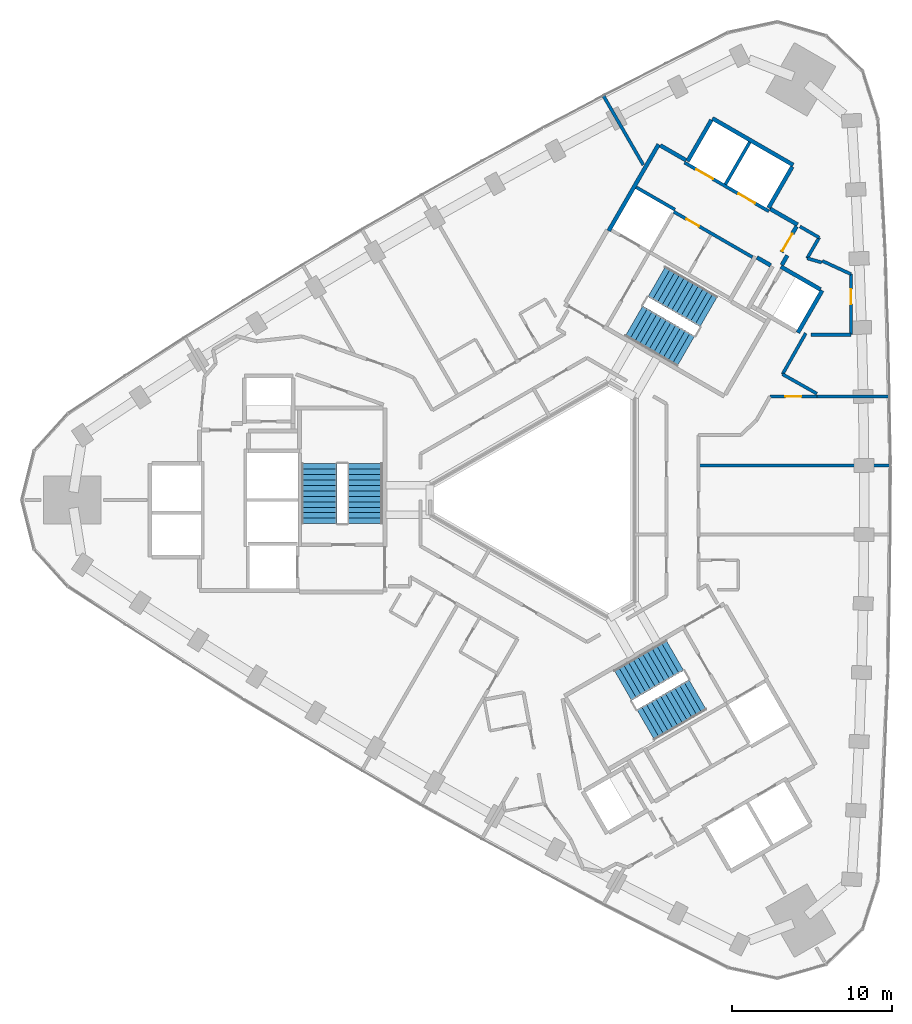
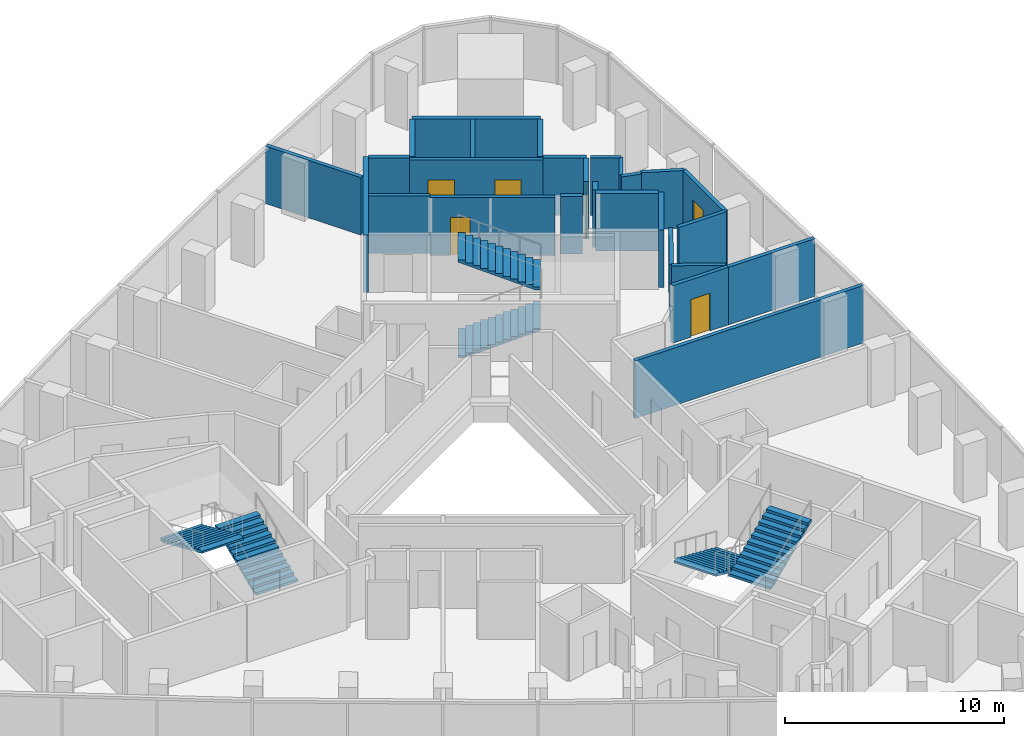
# One storey, part 12 of 13: 27 walls, 6 doors, 6 stair flights, 6 openings, 3 elements without a shape of their own.
"""IFC4 building model written with IfcOpenShell, lengths in metres."""

from ifc_helpers import new_model, si_unit, direction, frame, frame_2d, origin, place, context, subcontext, project, spatial, polyline, rectangle, outline, extrude, material, layer, layer_set, type_object, element, fill, aggregate, save


model = new_model("IFC4")

# Units and contexts
model_context = context("Model", 3, precision=1e-05, world=origin(), true_north=direction((0.0, 1.0)))
body_context = subcontext(model_context, "Body", "Model", "MODEL_VIEW")
ifc_project = project(units=[si_unit("LENGTHUNIT", "METRE"), si_unit("AREAUNIT", "SQUARE_METRE"), si_unit("VOLUMEUNIT", "CUBIC_METRE"), si_unit("PLANEANGLEUNIT", "RADIAN"), si_unit("MASSUNIT", "GRAM", prefix="KILO")], contexts=[model_context])

# Site, building, storey
site_placement = place(None, origin())
site = spatial("IfcSite", under=ifc_project, at=site_placement, CompositionType="ELEMENT")
building_placement = place(site_placement, origin())
building = spatial("IfcBuilding", under=site, at=building_placement, Name="Tamra Quay Hotel Tower", CompositionType="ELEMENT")
storey_placement = place(building_placement, frame((0.0, 0.0, 132.39990234375)))
storey = spatial("IfcBuildingStorey", under=building, at=storey_placement, Name="L32", CompositionType="ELEMENT", Elevation=132.39990234375)

# Wall, openings, doors
ifc_material_1 = material(Name="Concrete M70", Category="concrete")
ifc_layer_1 = layer(ifc_material_1, 0.199951171875)
ifc_layer_set_1 = layer_set([ifc_layer_1], Name="Concrete M70 core wall 200")
wall_type_1 = type_object("IfcWallType", Name="Concrete M70 core wall 200", PredefinedType="SHEAR", material=ifc_layer_set_1)
wall_1_placement = place(storey_placement, frame((13.209716796875, 18.07958984375, 0.0), z_axis=(0.0, 0.0, 1.0), x_axis=(-0.866030299012, 0.499991521122, 0.0)))
wall_1 = element("IfcWall", 1, at=wall_1_placement, inside=storey, type_object=wall_type_1, Name="CW2", PredefinedType="SHEAR", context=body_context, shape_type="SweptSolid", body=[
    extrude(rectangle(XDim=6.10009765625, YDim=0.199951171875, at=frame_2d((3.050048828125, 0.0))), origin(), (0.0, 0.0, 1.0), 3.2001953125),
])
opening_1_placement = place(wall_1_placement, frame((1.0, 0.0, 0.0)))
opening_1 = element("IfcOpeningElement", 2, at=opening_1_placement, cuts=wall_1, Name="Opening LD", PredefinedType="OPENING", context=body_context, shape_type="SweptSolid", body=[
    extrude(rectangle(XDim=1.199951171875, YDim=2.10009765625, at=frame_2d((0.60009765625, 1.050048828125))), frame((0.0, 0.10986328125, 0.0), z_axis=(0.0, -1.0, 0.0), x_axis=(1.0, 0.0, 0.0)), (0.0, 0.0, 1.0), 0.219970703125),
])
opening_2_placement = place(wall_1_placement, frame((4.05029296875, 0.0, 0.0)))
opening_2 = element("IfcOpeningElement", 3, at=opening_2_placement, cuts=wall_1, Name="Opening LD", PredefinedType="OPENING", context=body_context, shape_type="SweptSolid", body=[
    extrude(rectangle(XDim=1.199951171875, YDim=2.10009765625, at=frame_2d((0.60009765625, 1.050048828125))), frame((0.0, 0.10986328125, 0.0), z_axis=(0.0, -1.0, 0.0), x_axis=(1.0, 0.0, 0.0)), (0.0, 0.0, 1.0), 0.219970703125),
])
ifc_material_2 = material(Name="Landing door LD 1200 double door sliding")
door_type_1 = type_object("IfcDoorType", Name="Landing door LD 1200 double door sliding", OperationType="DOUBLE_DOOR_SLIDING", PredefinedType="DOOR", material=ifc_material_2)
door_1_placement = place(opening_1_placement, origin())
door_1 = element("IfcDoor", 4, at=door_1_placement, inside=storey, type_object=door_type_1, Name="LD", OperationType="DOUBLE_DOOR_SLIDING", OverallHeight=2.10009765625, OverallWidth=1.199951171875, PredefinedType="DOOR", context=body_context, shape_type="SweptSolid", body=[
    extrude(rectangle(XDim=1.199951171875, YDim=2.10009765625, at=frame_2d((0.60009765625, 1.050048828125))), frame((0.0, 0.02490234375, 0.0), z_axis=(0.0, -1.0, 0.0), x_axis=(1.0, 0.0, 0.0)), (0.0, 0.0, 1.0), 0.050048828125),
])
fill(opening_1, door_1)
door_2_placement = place(opening_2_placement, origin())
door_2 = element("IfcDoor", 5, at=door_2_placement, inside=storey, type_object=door_type_1, Name="LD", OperationType="DOUBLE_DOOR_SLIDING", OverallHeight=2.10009765625, OverallWidth=1.199951171875, PredefinedType="DOOR", context=body_context, shape_type="SweptSolid", body=[
    extrude(rectangle(XDim=1.199951171875, YDim=2.10009765625, at=frame_2d((0.60009765625, 1.050048828125))), frame((0.0, 0.02490234375, 0.0), z_axis=(0.0, -1.0, 0.0), x_axis=(1.0, 0.0, 0.0)), (0.0, 0.0, 1.0), 0.050048828125),
])
fill(opening_2, door_2)

# Wall, opening, door
wall_2_placement = place(storey_placement, frame((12.18505859375, 15.20703125, 0.0), z_axis=(0.0, 0.0, 1.0), x_axis=(-0.866020080793, 0.500009219579, 0.0)))
wall_2 = element("IfcWall", 6, at=wall_2_placement, inside=storey, type_object=wall_type_1, Name="CW2", PredefinedType="SHEAR", context=body_context, shape_type="SweptSolid", body=[
    extrude(rectangle(XDim=5.69921875, YDim=0.199951171875, at=frame_2d((2.849609375, 0.0))), origin(), (0.0, 0.0, 1.0), 3.2001953125),
])
opening_3_placement = place(wall_2_placement, frame((3.8740234375, 0.0, 0.0)))
opening_3 = element("IfcOpeningElement", 7, at=opening_3_placement, cuts=wall_2, Name="Opening D2", PredefinedType="OPENING", context=body_context, shape_type="SweptSolid", body=[
    extrude(rectangle(XDim=0.89990234375, YDim=2.10009765625, at=frame_2d((0.449951171875, 1.050048828125))), frame((0.0, 0.10986328125, 0.0), z_axis=(0.0, -1.0, 0.0), x_axis=(1.0, 0.0, 0.0)), (0.0, 0.0, 1.0), 0.219970703125),
])
ifc_material_3 = material(Name="Core door D2 900x2100 LH")
door_type_2 = type_object("IfcDoorType", Name="Core door D2 900x2100 LH", OperationType="NOTDEFINED", PredefinedType="DOOR", material=ifc_material_3)
door_3_placement = place(opening_3_placement, origin())
door_3 = element("IfcDoor", 8, at=door_3_placement, inside=storey, type_object=door_type_2, Name="D2", OperationType="SINGLE_SWING_LEFT", OverallHeight=2.10009765625, OverallWidth=0.89990234375, PredefinedType="DOOR", context=body_context, shape_type="SweptSolid", body=[
    extrude(rectangle(XDim=0.89990234375, YDim=2.10009765625, at=frame_2d((0.449951171875, 1.050048828125))), frame((0.0, 0.02490234375, 0.0), z_axis=(0.0, -1.0, 0.0), x_axis=(1.0, 0.0, 0.0)), (0.0, 0.0, 1.0), 0.050048828125),
])
fill(opening_3, door_3)

# Walls
wall_3_placement = place(storey_placement, frame((10.48876953125, 19.76708984375, 0.0), z_axis=(0.0, 0.0, 1.0), x_axis=(0.499946628782, 0.866056215479, 0.0)))
element("IfcWall", 9, at=wall_3_placement, inside=storey, type_object=wall_type_1, Name="CW2", PredefinedType="SHEAR", context=body_context, shape_type="SweptSolid", body=[
    extrude(rectangle(XDim=3.048095703125, YDim=0.199951171875, at=frame_2d((1.52392578125, 0.0))), origin(), (0.0, 0.0, 1.0), 3.2001953125),
])
wall_4_placement = place(storey_placement, frame((4.900634765625, 19.5859375, 0.0), z_axis=(0.0, 0.0, 1.0), x_axis=(0.866022890907, -0.500004352405, 0.0)))
element("IfcWall", 10, at=wall_4_placement, inside=storey, type_object=wall_type_1, Name="CW2", PredefinedType="SHEAR", context=body_context, shape_type="SweptSolid", body=[
    extrude(rectangle(XDim=2.798828125, YDim=0.199951171875, at=frame_2d((1.3994140625, 0.0))), origin(), (0.0, 0.0, 1.0), 3.2001953125),
])
ifc_layer_2 = layer(ifc_material_1, 0.25)
ifc_layer_set_2 = layer_set([ifc_layer_2], Name="Concrete M70 core wall 250")
wall_type_2 = type_object("IfcWallType", Name="Concrete M70 core wall 250", PredefinedType="SHEAR", material=ifc_layer_set_2)
wall_5_placement = place(storey_placement, frame((3.178955078125, 16.856201171875, 0.0), z_axis=(0.0, 0.0, 1.0), x_axis=(0.500004234368, 0.866022959057, 0.0)))
element("IfcWall", 11, at=wall_5_placement, inside=storey, type_object=wall_type_2, Name="CW1", PredefinedType="SHEAR", context=body_context, shape_type="SweptSolid", body=[
    extrude(rectangle(XDim=6.25, YDim=0.25, at=frame_2d((3.125, 0.0))), origin(), (0.0, 0.0, 1.0), 3.2001953125),
])
wall_6_placement = place(storey_placement, frame((9.672607421875, 23.9033203125, 0.0), z_axis=(0.0, 0.0, 1.0), x_axis=(0.86603616409, -0.499981362141, 0.0)))
element("IfcWall", 12, at=wall_6_placement, inside=storey, type_object=wall_type_2, Name="CW1", PredefinedType="SHEAR", context=body_context, shape_type="SweptSolid", body=[
    extrude(rectangle(XDim=5.849853515625, YDim=0.25, at=frame_2d((2.9248046875, 0.0))), origin(), (0.0, 0.0, 1.0), 3.2001953125),
])
for number, where, z_axis, x_axis, name in (
    (13, (8.12255859375, 21.21875, 0.0), (0.0, 0.0, 1.0), (0.499987686533, 0.866032512851, 0.0), "CW1"),
    (14, (14.67626953125, 20.869873046875, 0.0), (0.0, 0.0, 1.0), (-0.499987686533, -0.866032512851, 0.0), "CW1"),
):
    element("IfcWall", number, at=place(storey_placement, frame(where, z_axis=z_axis, x_axis=x_axis)), inside=storey, type_object=wall_type_2, Name=name, PredefinedType="SHEAR", context=body_context, shape_type="SweptSolid", body=[
        extrude(rectangle(XDim=2.974609375, YDim=0.25, at=frame_2d((1.4873046875, 0.0))), origin(), (0.0, 0.0, 1.0), 3.2001953125),
    ])
wall_7_placement = place(storey_placement, frame((16.552001953125, 13.118896484375, 0.0), z_axis=(0.0, 0.0, 1.0), x_axis=(-0.499978833458, -0.866037623948, 0.0)))
element("IfcWall", 15, at=wall_7_placement, inside=storey, type_object=wall_type_2, Name="CW1", PredefinedType="SHEAR", context=body_context, shape_type="SweptSolid", body=[
    extrude(rectangle(XDim=3.050048828125, YDim=0.25, at=frame_2d((1.52490234375, 0.0))), origin(), (0.0, 0.0, 1.0), 3.2001953125),
])
wall_8_placement = place(storey_placement, frame((13.962646484375, 14.61376953125, 0.0), z_axis=(0.0, 0.0, 1.0), x_axis=(0.866042235819, -0.499970844928, 0.0)))
element("IfcWall", 16, at=wall_8_placement, inside=storey, type_object=wall_type_2, Name="CW1", PredefinedType="SHEAR", context=body_context, shape_type="SweptSolid", body=[
    extrude(rectangle(XDim=2.864501953125, YDim=0.25, at=frame_2d((1.43212890625, 0.0))), origin(), (0.0, 0.0, 1.0), 3.2001953125),
])
wall_9_placement = place(storey_placement, frame((13.29736328125, 18.23095703125, 0.0), z_axis=(0.0, 0.0, 1.0), x_axis=(0.866043531843, -0.499968599967, 0.0)))
element("IfcWall", 17, at=wall_9_placement, inside=storey, type_object=wall_type_2, Name="CW1", PredefinedType="SHEAR", context=body_context, shape_type="SweptSolid", body=[
    extrude(rectangle(XDim=1.974853515625, YDim=0.25, at=frame_2d((0.9873046875, 0.0))), origin(), (0.0, 0.0, 1.0), 3.2001953125),
])
wall_10_placement = place(storey_placement, frame((6.41259765625, 22.2060546875, 0.0), z_axis=(0.0, 0.0, 1.0), x_axis=(0.866016279763, -0.500015802937, 0.0)))
element("IfcWall", 18, at=wall_10_placement, inside=storey, type_object=wall_type_2, Name="CW1", PredefinedType="SHEAR", context=body_context, shape_type="SweptSolid", body=[
    extrude(rectangle(XDim=1.84912109375, YDim=0.25, at=frame_2d((0.924560546875, 0.0))), origin(), (0.0, 0.0, 1.0), 3.2001953125),
])

# Wall, opening, door
wall_11_placement = place(storey_placement, frame((14.94482421875, 17.13525390625, 0.0), z_axis=(0.0, 0.0, 1.0), x_axis=(-0.499983108224, -0.866035156036, 0.0)))
wall_11 = element("IfcWall", 19, at=wall_11_placement, inside=storey, type_object=wall_type_2, Name="CW1", PredefinedType="SHEAR", context=body_context, shape_type="SweptSolid", body=[
    extrude(rectangle(XDim=1.86474609375, YDim=0.25, at=frame_2d((0.932373046875, 0.0))), origin(), (0.0, 0.0, 1.0), 3.2001953125),
])
opening_4_placement = place(wall_11_placement, frame((0.53466796875, 0.0, 0.0)))
opening_4 = element("IfcOpeningElement", 20, at=opening_4_placement, cuts=wall_11, Name="Opening FD3", PredefinedType="OPENING", context=body_context, shape_type="SweptSolid", body=[
    extrude(rectangle(XDim=1.25, YDim=2.10009765625, at=frame_2d((0.625, 1.050048828125))), frame((0.0, 0.135009765625, 0.0), z_axis=(0.0, -1.0, 0.0), x_axis=(1.0, 0.0, 0.0)), (0.0, 0.0, 1.0), 0.27001953125),
])
ifc_material_4 = material(Name="Core door FD3 1250x2100 LH")
door_type_3 = type_object("IfcDoorType", Name="Core door FD3 1250x2100 LH", OperationType="NOTDEFINED", PredefinedType="DOOR", material=ifc_material_4)
door_4_placement = place(opening_4_placement, origin())
door_4 = element("IfcDoor", 21, at=door_4_placement, inside=storey, type_object=door_type_3, Name="FD3", OperationType="SINGLE_SWING_LEFT", OverallHeight=2.10009765625, OverallWidth=1.25, PredefinedType="DOOR", context=body_context, shape_type="SweptSolid", body=[
    extrude(rectangle(XDim=1.25, YDim=2.10009765625, at=frame_2d((0.625, 1.050048828125))), frame((0.0, 0.02490234375, 0.0), z_axis=(0.0, -1.0, 0.0), x_axis=(1.0, 0.0, 0.0)), (0.0, 0.0, 1.0), 0.050048828125),
])
fill(opening_4, door_4)

# Walls
wall_12_placement = place(storey_placement, frame((13.322021484375, 14.695068359375, 0.0), z_axis=(0.0, 0.0, 1.0), x_axis=(-0.866017078145, 0.500014420154, 0.0)))
element("IfcWall", 22, at=wall_12_placement, inside=storey, type_object=wall_type_2, Name="CW1", PredefinedType="SHEAR", context=body_context, shape_type="SweptSolid", body=[
    extrude(rectangle(XDim=0.9892578125, YDim=0.25, at=frame_2d((0.49462890625, 0.0))), origin(), (0.0, 0.0, 1.0), 3.2001953125),
])
wall_13_placement = place(storey_placement, frame((14.36767578125, 15.3154296875, 0.0), z_axis=(0.0, 0.0, 1.0), x_axis=(-0.499897359611, -0.866084655132, 0.0)))
element("IfcWall", 23, at=wall_13_placement, inside=storey, type_object=wall_type_2, Name="CW1", PredefinedType="SHEAR", context=body_context, shape_type="SweptSolid", body=[
    extrude(rectangle(XDim=0.684814453125, YDim=0.25, at=frame_2d((0.34228515625, 0.0))), origin(), (0.0, 0.0, 1.0), 3.2001953125),
])

# Wall, opening, door
ifc_material_5 = material(Name="Partition corridor wall")
ifc_layer_3 = layer(ifc_material_5, 0.199951171875)
ifc_layer_set_3 = layer_set([ifc_layer_3], Name="Partition corridor wall")
wall_type_3 = type_object("IfcWallType", Name="Partition corridor wall", PredefinedType="PARTITIONING", material=ifc_layer_set_3)
wall_14_placement = place(storey_placement, frame((13.279052734375, 6.48388671875, 0.0), z_axis=(0.0, 0.0, 1.0), x_axis=(1.0, 0.0, 0.0)))
wall_14 = element("IfcWall", 24, at=wall_14_placement, inside=storey, type_object=wall_type_3, Name="W-C", PredefinedType="PARTITIONING", context=body_context, shape_type="SweptSolid", body=[
    extrude(rectangle(XDim=2.94287109375, YDim=0.199951171875, at=frame_2d((1.471435546875, 0.0))), origin(), (0.0, 0.0, 1.0), 3.2001953125),
])
opening_5_placement = place(wall_14_placement, frame((0.971435546875, 0.0, 0.0)))
opening_5 = element("IfcOpeningElement", 25, at=opening_5_placement, cuts=wall_14, Name="Opening L32-D004", PredefinedType="OPENING", context=body_context, shape_type="SweptSolid", body=[
    extrude(rectangle(XDim=1.0, YDim=2.10009765625, at=frame_2d((0.5, 1.050048828125))), frame((0.0, 0.10986328125, 0.0), z_axis=(0.0, -1.0, 0.0), x_axis=(1.0, 0.0, 0.0)), (0.0, 0.0, 1.0), 0.219970703125),
])
ifc_material_6 = material(Name="Door guest room 1000x2100")
door_type_4 = type_object("IfcDoorType", Name="Door guest room 1000x2100", OperationType="NOTDEFINED", PredefinedType="DOOR", material=ifc_material_6)
door_5_placement = place(opening_5_placement, frame((1.0, 0.0, 0.0), z_axis=(0.0, 0.0, 1.0), x_axis=(-1.0, 0.0, 0.0)))
door_5 = element("IfcDoor", 26, at=door_5_placement, inside=storey, type_object=door_type_4, Name="L32-D004", OperationType="SINGLE_SWING_LEFT", OverallHeight=2.10009765625, OverallWidth=1.0, PredefinedType="DOOR", context=body_context, shape_type="SweptSolid", body=[
    extrude(rectangle(XDim=1.0, YDim=2.10009765625, at=frame_2d((0.5, 1.050048828125))), frame((0.0, 0.02490234375, 0.0), z_axis=(0.0, -1.0, 0.0), x_axis=(1.0, 0.0, 0.0)), (0.0, 0.0, 1.0), 0.050048828125),
])
fill(opening_5, door_5)

# Walls
wall_15_placement = place(storey_placement, frame((14.06591796875, 7.8759765625, 0.0), z_axis=(0.0, 0.0, 1.0), x_axis=(0.870423351516, -0.492303960105, 0.0)))
element("IfcWall", 27, at=wall_15_placement, inside=storey, type_object=wall_type_3, Name="W-C", PredefinedType="PARTITIONING", context=body_context, shape_type="SweptSolid", body=[
    extrude(rectangle(XDim=2.47802734375, YDim=0.199951171875, at=frame_2d((1.239013671875, 0.0))), origin(), (0.0, 0.0, 1.0), 3.2001953125),
])
wall_16_placement = place(storey_placement, frame((14.066162109375, 7.875732421875, 0.0), z_axis=(0.0, 0.0, 1.0), x_axis=(0.492812174249, 0.870135714077, 0.0)))
element("IfcWall", 28, at=wall_16_placement, inside=storey, type_object=wall_type_3, Name="W-C", PredefinedType="PARTITIONING", context=body_context, shape_type="SweptSolid", body=[
    extrude(rectangle(XDim=2.951171875, YDim=0.199951171875, at=frame_2d((1.4755859375, 0.0))), origin(), (0.0, 0.0, 1.0), 3.2001953125),
])
wall_17_placement = place(storey_placement, frame((15.155517578125, 17.130126953125, 0.0), z_axis=(0.0, 0.0, 1.0), x_axis=(0.865755062894, -0.500467952093, 0.0)))
element("IfcWall", 29, at=wall_17_placement, inside=storey, type_object=wall_type_3, Name="W-C", PredefinedType="PARTITIONING", context=body_context, shape_type="SweptSolid", body=[
    extrude(rectangle(XDim=1.388916015625, YDim=0.199951171875, at=frame_2d((0.6943359375, 0.0))), origin(), (0.0, 0.0, 1.0), 3.2001953125),
])
wall_18_placement = place(storey_placement, frame((15.60888671875, 15.135986328125, 0.0), z_axis=(0.0, 0.0, 1.0), x_axis=(0.499501622561, 0.866312950993, 0.0)))
element("IfcWall", 30, at=wall_18_placement, inside=storey, type_object=wall_type_3, Name="W-C", PredefinedType="PARTITIONING", context=body_context, shape_type="SweptSolid", body=[
    extrude(rectangle(XDim=1.49951171875, YDim=0.199951171875, at=frame_2d((0.749755859375, 0.0))), origin(), (0.0, 0.0, 1.0), 3.2001953125),
])
wall_19_placement = place(storey_placement, frame((15.60888671875, 15.135986328125, 0.0), z_axis=(0.0, 0.0, 1.0), x_axis=(0.961592512205, -0.274481038455, 0.0)))
element("IfcWall", 31, at=wall_19_placement, inside=storey, type_object=wall_type_3, Name="W-C", PredefinedType="PARTITIONING", context=body_context, shape_type="SweptSolid", body=[
    extrude(rectangle(XDim=0.940185546875, YDim=0.199951171875, at=frame_2d((0.47021484375, 0.0))), origin(), (0.0, 0.0, 1.0), 3.2001953125),
])
wall_20_placement = place(storey_placement, frame((15.85009765625, 10.35009765625, 0.0), z_axis=(0.0, 0.0, 1.0), x_axis=(1.0, 0.0, 0.0)))
element("IfcWall", 32, at=wall_20_placement, inside=storey, type_object=wall_type_3, Name="W-C", PredefinedType="PARTITIONING", context=body_context, shape_type="SweptSolid", body=[
    extrude(rectangle(XDim=2.5, YDim=0.199951171875, at=frame_2d((1.25, 0.0))), origin(), (0.0, 0.0, 1.0), 3.2001953125),
])
wall_21_placement = place(storey_placement, frame((16.555908203125, 14.971923828125, 0.0), z_axis=(0.0, 0.0, 1.0), x_axis=(0.907999158806, -0.418971989048, 0.0)))
element("IfcWall", 33, at=wall_21_placement, inside=storey, type_object=wall_type_3, Name="W-C", PredefinedType="PARTITIONING", context=body_context, shape_type="SweptSolid", body=[
    extrude(rectangle(XDim=1.97607421875, YDim=0.199951171875, at=frame_2d((0.988037109375, 0.0))), origin(), (0.0, 0.0, 1.0), 3.2001953125),
])

# Wall, opening, door
wall_22_placement = place(storey_placement, frame((18.35009765625, 10.35009765625, 0.0), z_axis=(0.0, 0.0, 1.0), x_axis=(0.0, 1.0, 0.0)))
wall_22 = element("IfcWall", 34, at=wall_22_placement, inside=storey, type_object=wall_type_3, Name="W-C", PredefinedType="PARTITIONING", context=body_context, shape_type="SweptSolid", body=[
    extrude(rectangle(XDim=3.7939453125, YDim=0.199951171875, at=frame_2d((1.89697265625, 0.0))), origin(), (0.0, 0.0, 1.0), 3.2001953125),
])
opening_6_placement = place(wall_22_placement, frame((1.910888671875, 0.0, 0.0)))
opening_6 = element("IfcOpeningElement", 35, at=opening_6_placement, cuts=wall_22, Name="Opening L32-D005", PredefinedType="OPENING", context=body_context, shape_type="SweptSolid", body=[
    extrude(rectangle(XDim=0.949951171875, YDim=2.10009765625, at=frame_2d((0.47509765625, 1.050048828125))), frame((0.0, 0.10986328125, 0.0), z_axis=(0.0, -1.0, 0.0), x_axis=(1.0, 0.0, 0.0)), (0.0, 0.0, 1.0), 0.219970703125),
])
ifc_material_7 = material(Name="Door guest room 950x2100")
door_type_5 = type_object("IfcDoorType", Name="Door guest room 950x2100", OperationType="NOTDEFINED", PredefinedType="DOOR", material=ifc_material_7)
door_6_placement = place(opening_6_placement, origin())
door_6 = element("IfcDoor", 36, at=door_6_placement, inside=storey, type_object=door_type_5, Name="L32-D005", OperationType="SINGLE_SWING_LEFT", OverallHeight=2.10009765625, OverallWidth=0.949951171875, PredefinedType="DOOR", context=body_context, shape_type="SweptSolid", body=[
    extrude(rectangle(XDim=0.949951171875, YDim=2.10009765625, at=frame_2d((0.47509765625, 1.050048828125))), frame((0.0, 0.02490234375, 0.0), z_axis=(0.0, -1.0, 0.0), x_axis=(1.0, 0.0, 0.0)), (0.0, 0.0, 1.0), 0.050048828125),
])
fill(opening_6, door_6)

# Walls
ifc_material_8 = material(Name="Partition party wall")
ifc_layer_4 = layer(ifc_material_8, 0.199951171875)
ifc_layer_set_4 = layer_set([ifc_layer_4], Name="Partition party wall")
wall_type_4 = type_object("IfcWallType", Name="Partition party wall", PredefinedType="PARTITIONING", material=ifc_layer_set_4)
wall_23_placement = place(storey_placement, frame((2.845458984375, 25.321044921875, 0.0), z_axis=(0.0, 0.0, 1.0), x_axis=(0.499730893997, -0.86618071647, 0.0)))
element("IfcWall", 37, at=wall_23_placement, inside=storey, type_object=wall_type_4, Name="W-P", PredefinedType="PARTITIONING", context=body_context, shape_type="SweptSolid", body=[
    extrude(rectangle(XDim=5.008056640625, YDim=0.199951171875, at=frame_2d((2.50390625, 0.0))), origin(), (0.0, 0.0, 1.0), 3.2001953125),
])
wall_24_placement = place(storey_placement, frame((8.800048828125, 2.160888671875, 0.0), z_axis=(0.0, 0.0, 1.0), x_axis=(1.0, 0.0, 0.0)))
element("IfcWall", 38, at=wall_24_placement, inside=storey, type_object=wall_type_4, Name="W-P", PredefinedType="PARTITIONING", context=body_context, shape_type="SweptSolid", body=[
    extrude(rectangle(XDim=12.0146484375, YDim=0.199951171875, at=frame_2d((6.00732421875, 0.0))), origin(), (0.0, 0.0, 1.0), 3.2001953125),
])
wall_25_placement = place(storey_placement, frame((16.2099609375, 6.48388671875, 0.0), z_axis=(0.0, 0.0, 1.0), x_axis=(1.0, 0.0, 0.0)))
element("IfcWall", 39, at=wall_25_placement, inside=storey, type_object=wall_type_4, Name="W-P", PredefinedType="PARTITIONING", context=body_context, shape_type="SweptSolid", body=[
    extrude(rectangle(XDim=4.55322265625, YDim=0.199951171875, at=frame_2d((2.276611328125, 0.0))), origin(), (0.0, 0.0, 1.0), 3.2001953125),
])

# Stair, stair flights
ifc_material_9 = material(Name="Exit stair 2200 24 risers 150.0 going 342")
stair_type = type_object("IfcStairType", Name="Exit stair 2200 24 risers 150.0 going 342", PredefinedType="HALF_TURN_STAIR", material=ifc_material_9)
stair_1_placement = place(storey_placement, origin())
stair_1 = element("IfcStair", 40, at=stair_1_placement, inside=storey, type_object=stair_type, Name="L32 Exit stair ST3", PredefinedType="HALF_TURN_STAIR")
ifc_material_10 = material(Name="Exit stair flight 2200 12 risers 150.0")
stair_flight_type = type_object("IfcStairFlightType", Name="Exit stair flight 2200 12 risers 150.0", PredefinedType="STRAIGHT", material=ifc_material_10)
stair_flight_1_placement = place(storey_placement, frame((-12.082275390625, -1.47998046875, 0.0), z_axis=(0.0, 0.0, 1.0), x_axis=(0.0, 1.0, 0.0)))
stair_flight_1 = element("IfcStairFlight", 41, at=stair_flight_1_placement, type_object=stair_flight_type, Name="ST3 flight 1", NumberOfRisers=12, NumberOfTreads=11, PredefinedType="STRAIGHT", RiserHeight=0.15, TreadLength=0.342, context=body_context, shape_type="SweptSolid", body=[
    extrude(outline(polyline([(0.0, 0.0), (0.0, 0.14990234375), (0.342041015625, 0.14990234375), (0.342041015625, 0.300048828125), (0.68408203125, 0.300048828125), (0.68408203125, 0.449951171875), (1.02587890625, 0.449951171875), (1.02587890625, 0.60009765625), (1.367919921875, 0.60009765625), (1.367919921875, 0.75), (1.7099609375, 0.75), (1.7099609375, 0.89990234375), (2.052001953125, 0.89990234375), (2.052001953125, 1.050048828125), (2.39404296875, 1.050048828125), (2.39404296875, 1.199951171875), (2.736083984375, 1.199951171875), (2.736083984375, 1.35009765625), (3.077880859375, 1.35009765625), (3.077880859375, 1.5), (3.419921875, 1.5), (3.419921875, 1.64990234375), (3.761962890625, 1.64990234375), (3.761962890625, 1.800048828125), (3.761962890625, 1.540771484375), (0.249267578125, 0.0), (0.0, 0.0)])), frame((0.0, 1.10009765625, 0.0), z_axis=(0.0, -1.0, 0.0), x_axis=(1.0, 0.0, 0.0)), (0.0, 0.0, 1.0), 2.199951171875),
])
stair_flight_2_placement = place(storey_placement, frame((-14.94140625, 2.281982421875, 1.800048828125), z_axis=(0.0, 0.0, 1.0), x_axis=(0.0, -1.0, 0.0)))
stair_flight_2 = element("IfcStairFlight", 42, at=stair_flight_2_placement, type_object=stair_flight_type, Name="ST3 flight 2", NumberOfRisers=12, NumberOfTreads=11, PredefinedType="STRAIGHT", RiserHeight=0.15, TreadLength=0.342, context=body_context, shape_type="SweptSolid", body=[
    extrude(outline(polyline([(0.0, 0.0), (0.0, 0.14990234375), (0.342041015625, 0.14990234375), (0.342041015625, 0.300048828125), (0.68408203125, 0.300048828125), (0.68408203125, 0.449951171875), (1.02587890625, 0.449951171875), (1.02587890625, 0.60009765625), (1.367919921875, 0.60009765625), (1.367919921875, 0.75), (1.7099609375, 0.75), (1.7099609375, 0.89990234375), (2.052001953125, 0.89990234375), (2.052001953125, 1.050048828125), (2.39404296875, 1.050048828125), (2.39404296875, 1.199951171875), (2.736083984375, 1.199951171875), (2.736083984375, 1.35009765625), (3.077880859375, 1.35009765625), (3.077880859375, 1.5), (3.419921875, 1.5), (3.419921875, 1.64990234375), (3.761962890625, 1.64990234375), (3.761962890625, 1.800048828125), (3.761962890625, 1.540771484375), (0.249267578125, 0.0), (0.0, 0.0)])), frame((0.0, 1.10009765625, 0.0), z_axis=(0.0, -1.0, 0.0), x_axis=(1.0, 0.0, 0.0)), (0.0, 0.0, 1.0), 2.199951171875),
])
aggregate(stair_1, [stair_flight_1, stair_flight_2])

stair_2_placement = place(storey_placement, origin())
stair_2 = element("IfcStair", 43, at=stair_2_placement, inside=storey, type_object=stair_type, Name="L32 Exit stair ST1", PredefinedType="HALF_TURN_STAIR")
stair_flight_3_placement = place(storey_placement, frame((4.75927734375, 11.20361328125, 0.0), z_axis=(0.0, 0.0, 1.0), x_axis=(0.866025403784, -0.5, 0.0)))
stair_flight_3 = element("IfcStairFlight", 44, at=stair_flight_3_placement, type_object=stair_flight_type, Name="ST1 flight 1", NumberOfRisers=12, NumberOfTreads=11, PredefinedType="STRAIGHT", RiserHeight=0.15, TreadLength=0.342, context=body_context, shape_type="SweptSolid", body=[
    extrude(outline(polyline([(0.0, 0.0), (0.0, 0.14990234375), (0.342041015625, 0.14990234375), (0.342041015625, 0.300048828125), (0.68408203125, 0.300048828125), (0.68408203125, 0.449951171875), (1.02587890625, 0.449951171875), (1.02587890625, 0.60009765625), (1.367919921875, 0.60009765625), (1.367919921875, 0.75), (1.7099609375, 0.75), (1.7099609375, 0.89990234375), (2.052001953125, 0.89990234375), (2.052001953125, 1.050048828125), (2.39404296875, 1.050048828125), (2.39404296875, 1.199951171875), (2.736083984375, 1.199951171875), (2.736083984375, 1.35009765625), (3.077880859375, 1.35009765625), (3.077880859375, 1.5), (3.419921875, 1.5), (3.419921875, 1.64990234375), (3.761962890625, 1.64990234375), (3.761962890625, 1.800048828125), (3.761962890625, 1.540771484375), (0.249267578125, 0.0), (0.0, 0.0)])), frame((0.0, 1.10009765625, 0.0), z_axis=(0.0, -1.0, 0.0), x_axis=(1.0, 0.0, 0.0)), (0.0, 0.0, 1.0), 2.199951171875),
])
stair_flight_4_placement = place(storey_placement, frame((9.44677734375, 11.798583984375, 1.800048828125), z_axis=(0.0, 0.0, 1.0), x_axis=(-0.866025403784, 0.5, 0.0)))
stair_flight_4 = element("IfcStairFlight", 45, at=stair_flight_4_placement, type_object=stair_flight_type, Name="ST1 flight 2", NumberOfRisers=12, NumberOfTreads=11, PredefinedType="STRAIGHT", RiserHeight=0.15, TreadLength=0.342, context=body_context, shape_type="SweptSolid", body=[
    extrude(outline(polyline([(0.0, 0.0), (0.0, 0.14990234375), (0.342041015625, 0.14990234375), (0.342041015625, 0.300048828125), (0.68408203125, 0.300048828125), (0.68408203125, 0.449951171875), (1.02587890625, 0.449951171875), (1.02587890625, 0.60009765625), (1.367919921875, 0.60009765625), (1.367919921875, 0.75), (1.7099609375, 0.75), (1.7099609375, 0.89990234375), (2.052001953125, 0.89990234375), (2.052001953125, 1.050048828125), (2.39404296875, 1.050048828125), (2.39404296875, 1.199951171875), (2.736083984375, 1.199951171875), (2.736083984375, 1.35009765625), (3.077880859375, 1.35009765625), (3.077880859375, 1.5), (3.419921875, 1.5), (3.419921875, 1.64990234375), (3.761962890625, 1.64990234375), (3.761962890625, 1.800048828125), (3.761962890625, 1.540771484375), (0.249267578125, 0.0), (0.0, 0.0)])), frame((0.0, 1.10009765625, 0.0), z_axis=(0.0, -1.0, 0.0), x_axis=(1.0, 0.0, 0.0)), (0.0, 0.0, 1.0), 2.199951171875),
])
aggregate(stair_2, [stair_flight_3, stair_flight_4])

stair_3_placement = place(storey_placement, origin())
stair_3 = element("IfcStair", 46, at=stair_3_placement, inside=storey, type_object=stair_type, Name="L32 Exit stair ST2", PredefinedType="HALF_TURN_STAIR")
stair_flight_5_placement = place(storey_placement, frame((7.322998046875, -9.7236328125, 0.0), z_axis=(0.0, 0.0, 1.0), x_axis=(-0.866025403784, -0.5, 0.0)))
stair_flight_5 = element("IfcStairFlight", 47, at=stair_flight_5_placement, type_object=stair_flight_type, Name="ST2 flight 1", NumberOfRisers=12, NumberOfTreads=11, PredefinedType="STRAIGHT", RiserHeight=0.15, TreadLength=0.342, context=body_context, shape_type="SweptSolid", body=[
    extrude(outline(polyline([(0.0, 0.0), (0.0, 0.14990234375), (0.342041015625, 0.14990234375), (0.342041015625, 0.300048828125), (0.68408203125, 0.300048828125), (0.68408203125, 0.449951171875), (1.02587890625, 0.449951171875), (1.02587890625, 0.60009765625), (1.367919921875, 0.60009765625), (1.367919921875, 0.75), (1.7099609375, 0.75), (1.7099609375, 0.89990234375), (2.052001953125, 0.89990234375), (2.052001953125, 1.050048828125), (2.39404296875, 1.050048828125), (2.39404296875, 1.199951171875), (2.736083984375, 1.199951171875), (2.736083984375, 1.35009765625), (3.077880859375, 1.35009765625), (3.077880859375, 1.5), (3.419921875, 1.5), (3.419921875, 1.64990234375), (3.761962890625, 1.64990234375), (3.761962890625, 1.800048828125), (3.761962890625, 1.540771484375), (0.249267578125, 0.0), (0.0, 0.0)])), frame((0.0, 1.10009765625, 0.0), z_axis=(0.0, -1.0, 0.0), x_axis=(1.0, 0.0, 0.0)), (0.0, 0.0, 1.0), 2.199951171875),
])
stair_flight_6_placement = place(storey_placement, frame((5.494384765625, -14.08056640625, 1.800048828125), z_axis=(0.0, 0.0, 1.0), x_axis=(0.866025403784, 0.5, 0.0)))
stair_flight_6 = element("IfcStairFlight", 48, at=stair_flight_6_placement, type_object=stair_flight_type, Name="ST2 flight 2", NumberOfRisers=12, NumberOfTreads=11, PredefinedType="STRAIGHT", RiserHeight=0.15, TreadLength=0.342, context=body_context, shape_type="SweptSolid", body=[
    extrude(outline(polyline([(0.0, 0.0), (0.0, 0.14990234375), (0.342041015625, 0.14990234375), (0.342041015625, 0.300048828125), (0.68408203125, 0.300048828125), (0.68408203125, 0.449951171875), (1.02587890625, 0.449951171875), (1.02587890625, 0.60009765625), (1.367919921875, 0.60009765625), (1.367919921875, 0.75), (1.7099609375, 0.75), (1.7099609375, 0.89990234375), (2.052001953125, 0.89990234375), (2.052001953125, 1.050048828125), (2.39404296875, 1.050048828125), (2.39404296875, 1.199951171875), (2.736083984375, 1.199951171875), (2.736083984375, 1.35009765625), (3.077880859375, 1.35009765625), (3.077880859375, 1.5), (3.419921875, 1.5), (3.419921875, 1.64990234375), (3.761962890625, 1.64990234375), (3.761962890625, 1.800048828125), (3.761962890625, 1.540771484375), (0.249267578125, 0.0), (0.0, 0.0)])), frame((0.0, 1.10009765625, 0.0), z_axis=(0.0, -1.0, 0.0), x_axis=(1.0, 0.0, 0.0)), (0.0, 0.0, 1.0), 2.199951171875),
])
aggregate(stair_3, [stair_flight_5, stair_flight_6])

save(model, "model.ifc")
